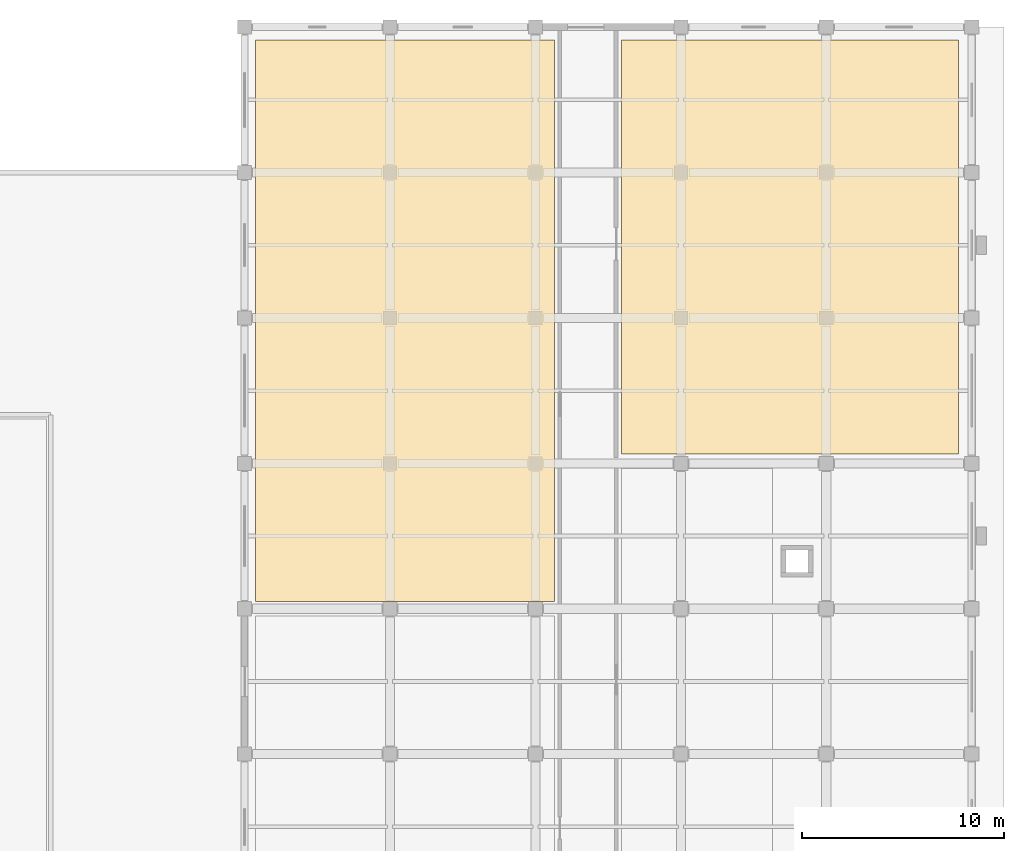
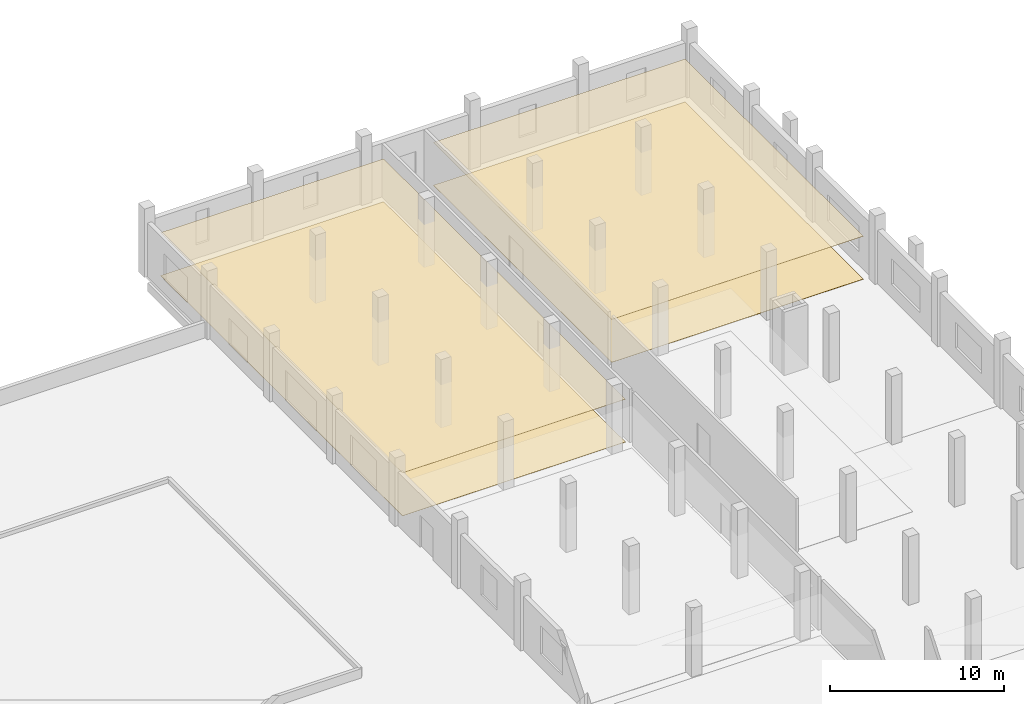
# One storey, part 58 of 59: 4 coverings.
"""IFC4 building model written with IfcOpenShell, lengths in metres."""

from ifc_helpers import new_model, si_unit, direction, frame, origin, place, context, subcontext, project, spatial, polyline, outline, extrude, material, layer, layer_set, type_object, element, save


model = new_model("IFC4")

# Units and contexts
model_context = context("Model", 3, precision=1e-05, world=origin(), true_north=direction((0.0, 1.0)))
body_context = subcontext(model_context, "Body", "Model", "MODEL_VIEW")
ifc_project = project(units=[si_unit("LENGTHUNIT", "METRE"), si_unit("AREAUNIT", "SQUARE_METRE"), si_unit("VOLUMEUNIT", "CUBIC_METRE"), si_unit("PLANEANGLEUNIT", "RADIAN"), si_unit("MASSUNIT", "GRAM", prefix="KILO")], contexts=[model_context])

# Site, building, storey
site_placement = place(None, origin())
site = spatial("IfcSite", under=ifc_project, at=site_placement, CompositionType="ELEMENT")
building_placement = place(site_placement, origin())
building = spatial("IfcBuilding", under=site, at=building_placement, Name="Valkovuoma Quantum and Materials Research Institute", CompositionType="ELEMENT")
storey_placement = place(building_placement, origin())
storey = spatial("IfcBuildingStorey", under=building, at=storey_placement, Name="L00", CompositionType="ELEMENT", Elevation=0.0)

# Coverings
ifc_material_1 = material(Name="Cleanable acoustic mineral-fibre suspended ceiling", Category="masonry")
ifc_layer_1 = layer(ifc_material_1, 0.02490234375)
ifc_layer_set_1 = layer_set([ifc_layer_1], Name="Cleanable acoustic mineral-fibre suspended ceiling")
covering_type_1 = type_object("IfcCoveringType", Name="Cov-CEIL-01", PredefinedType="CEILING", material=ifc_layer_set_1)
covering_1_placement = place(storey_placement, frame((0.0, 0.0, 3.0)))
element("IfcCovering", 1, at=covering_1_placement, inside=storey, type_object=covering_type_1, Name="L00 acoustic ceiling 0021", PredefinedType="CEILING", context=body_context, shape_type="SweptSolid", body=[
    extrude(outline(polyline([(130.14990234375, 86.75), (144.949951171875, 86.75), (144.949951171875, 114.550048828125), (130.14990234375, 114.550048828125), (130.14990234375, 86.75)])), origin(), (0.0, 0.0, 1.0), 0.02490234375),
])
covering_2_placement = place(storey_placement, frame((0.0, 0.0, 3.0)))
element("IfcCovering", 2, at=covering_2_placement, inside=storey, type_object=covering_type_1, Name="L00 acoustic ceiling 0024", PredefinedType="CEILING", context=body_context, shape_type="SweptSolid", body=[
    extrude(outline(polyline([(148.25, 94.050048828125), (164.949951171875, 94.050048828125), (164.949951171875, 114.550048828125), (148.25, 114.550048828125), (148.25, 94.050048828125)])), origin(), (0.0, 0.0, 1.0), 0.02490234375),
])
ifc_material_2 = material(Name="Seamless dissipative laboratory resin flooring", Category="masonry")
ifc_layer_2 = layer(ifc_material_2, 0.014892578125)
ifc_layer_set_2 = layer_set([ifc_layer_2], Name="Seamless dissipative laboratory resin flooring")
covering_type_2 = type_object("IfcCoveringType", Name="Cov-FLOR-01", PredefinedType="FLOORING", material=ifc_layer_set_2)
covering_3_placement = place(storey_placement, origin())
element("IfcCovering", 3, at=covering_3_placement, inside=storey, type_object=covering_type_2, Name="L00 resin flooring 0021", PredefinedType="FLOORING", context=body_context, shape_type="SweptSolid", body=[
    extrude(outline(polyline([(130.14990234375, 86.75), (144.949951171875, 86.75), (144.949951171875, 114.550048828125), (130.14990234375, 114.550048828125), (130.14990234375, 86.75)])), origin(), (0.0, 0.0, 1.0), 0.014892578125),
])
covering_4_placement = place(storey_placement, origin())
element("IfcCovering", 4, at=covering_4_placement, inside=storey, type_object=covering_type_2, Name="L00 resin flooring 0024", PredefinedType="FLOORING", context=body_context, shape_type="SweptSolid", body=[
    extrude(outline(polyline([(148.25, 94.050048828125), (164.949951171875, 94.050048828125), (164.949951171875, 114.550048828125), (148.25, 114.550048828125), (148.25, 94.050048828125)])), origin(), (0.0, 0.0, 1.0), 0.014892578125),
])

save(model, "model.ifc")
